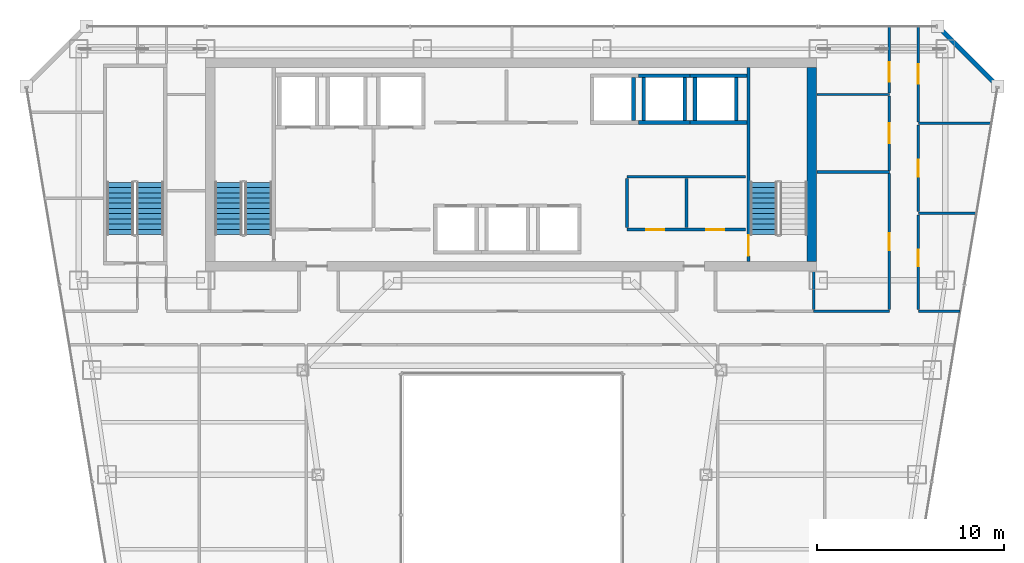
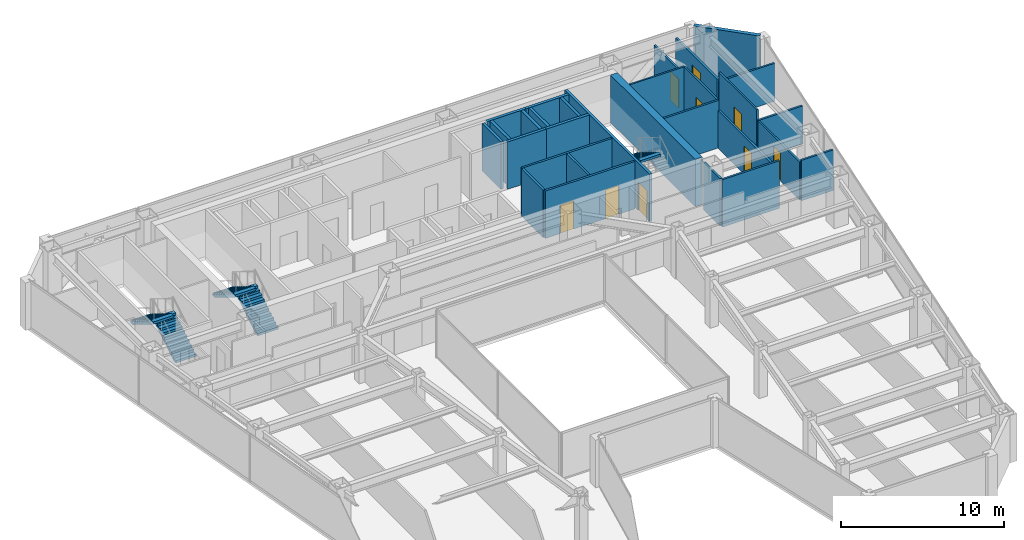
# One storey, part 34 of 38: 29 walls, 9 doors, 5 stair flights, 9 openings, 3 elements without a shape of their own.
"""IFC4 building model written with IfcOpenShell, lengths in metres."""

from ifc_helpers import new_model, si_unit, direction, frame, frame_2d, origin, place, context, subcontext, project, spatial, polyline, rectangle, outline, extrude, material, layer, layer_set, type_object, element, fill, aggregate, save


model = new_model("IFC4")

# Units and contexts
model_context = context("Model", 3, precision=1e-05, world=origin(), true_north=direction((0.0, 1.0)))
body_context = subcontext(model_context, "Body", "Model", "MODEL_VIEW")
ifc_project = project(units=[si_unit("LENGTHUNIT", "METRE"), si_unit("AREAUNIT", "SQUARE_METRE"), si_unit("VOLUMEUNIT", "CUBIC_METRE"), si_unit("PLANEANGLEUNIT", "RADIAN"), si_unit("MASSUNIT", "GRAM", prefix="KILO")], contexts=[model_context])

# Site, building, storey
site_placement = place(None, origin())
site = spatial("IfcSite", under=ifc_project, at=site_placement, CompositionType="ELEMENT")
building_placement = place(site_placement, origin())
building = spatial("IfcBuilding", under=site, at=building_placement, Name="Saevonmaru Cultural Tower", CompositionType="ELEMENT")
storey_placement = place(building_placement, frame((0.0, 0.0, 133.39990234375)))
storey = spatial("IfcBuildingStorey", under=building, at=storey_placement, Name="L28", CompositionType="ELEMENT", Elevation=133.39990234375)

# Wall
ifc_material_1 = material(Name="Concrete C60/75", Category="concrete")
ifc_layer_1 = layer(ifc_material_1, 0.5, Name="Concrete C60/75")
ifc_layer_set_1 = layer_set([ifc_layer_1], Name="Concrete C60/75")
wall_type_1 = type_object("IfcWallType", Name="WL-CORE-500", PredefinedType="SHEAR", material=ifc_layer_set_1)
wall_1_placement = place(storey_placement, frame((46.050048828125, 43.39990234375, 0.0), z_axis=(0.0, 0.0, 1.0), x_axis=(0.0, 1.0, 0.0)))
element("IfcWall", 1, at=wall_1_placement, inside=storey, type_object=wall_type_1, Name="L28 Tower RC core shear wall E", PredefinedType="SHEAR", context=body_context, shape_type="SweptSolid", body=[
    extrude(rectangle(XDim=10.400146484375, YDim=0.5, at=frame_2d((5.2001953125, 0.0))), origin(), (0.0, 0.0, 1.0), 3.550048828125),
])

# Wall, openings, doors
ifc_material_2 = material(Name="Gypsum Fireboard Partition", Category="gypsum")
ifc_layer_2 = layer(ifc_material_2, 0.14990234375, Name="Gypsum Fireboard Partition")
ifc_layer_set_2 = layer_set([ifc_layer_2], Name="Gypsum Fireboard Partition")
wall_type_2 = type_object("IfcWallType", Name="WL-CORE-PART-150", PredefinedType="PARTITIONING", material=ifc_layer_set_2)
wall_2_placement = place(storey_placement, frame((36.14990234375, 45.1201171875, 0.0), z_axis=(0.0, 0.0, 1.0), x_axis=(1.0, 0.0, 0.0)))
wall_2 = element("IfcWall", 2, at=wall_2_placement, inside=storey, type_object=wall_type_2, Name="L28 Core Cluster South Wall", PredefinedType="PARTITIONING", context=body_context, shape_type="SweptSolid", body=[
    extrude(rectangle(XDim=6.35009765625, YDim=0.14990234375, at=frame_2d((3.175048828125, 0.0))), origin(), (0.0, 0.0, 1.0), 3.550048828125),
])
opening_1_placement = place(wall_2_placement, frame((1.050048828125, 0.0, 0.0)))
opening_1 = element("IfcOpeningElement", 3, at=opening_1_placement, cuts=wall_2, Name="Opening FD-4", PredefinedType="OPENING", context=body_context, shape_type="SweptSolid", body=[
    extrude(rectangle(XDim=0.949951171875, YDim=2.14990234375, at=frame_2d((0.47509765625, 1.074951171875))), frame((0.0, 0.0849609375, 0.0), z_axis=(0.0, -1.0, 0.0), x_axis=(1.0, 0.0, 0.0)), (0.0, 0.0, 1.0), 0.169921875),
])
opening_2_placement = place(wall_2_placement, frame((4.25, 0.0, 0.0)))
opening_2 = element("IfcOpeningElement", 4, at=opening_2_placement, cuts=wall_2, Name="Opening FD-4", PredefinedType="OPENING", context=body_context, shape_type="SweptSolid", body=[
    extrude(rectangle(XDim=0.949951171875, YDim=2.14990234375, at=frame_2d((0.47509765625, 1.074951171875))), frame((0.0, 0.0849609375, 0.0), z_axis=(0.0, -1.0, 0.0), x_axis=(1.0, 0.0, 0.0)), (0.0, 0.0, 1.0), 0.169921875),
])
ifc_material_3 = material(Name="Satin Bronze Anodised Aluminium", Category="aluminium")
door_type_1 = type_object("IfcDoorType", Name="DR-FD60-950", OperationType="SINGLE_SWING_LEFT", PredefinedType="DOOR", material=ifc_material_3)
door_1_placement = place(opening_1_placement, origin())
door_1 = element("IfcDoor", 5, at=door_1_placement, inside=storey, type_object=door_type_1, Name="L28 BMS Control Room Door", OperationType="SINGLE_SWING_LEFT", OverallHeight=2.14990234375, OverallWidth=0.949951171875, PredefinedType="DOOR", context=body_context, shape_type="SweptSolid", body=[
    extrude(rectangle(XDim=0.949951171875, YDim=2.14990234375, at=frame_2d((0.47509765625, 1.074951171875))), frame((0.0, 0.02490234375, 0.0), z_axis=(0.0, -1.0, 0.0), x_axis=(1.0, 0.0, 0.0)), (0.0, 0.0, 1.0), 0.050048828125),
])
fill(opening_1, door_1)
door_2_placement = place(opening_2_placement, origin())
door_2 = element("IfcDoor", 6, at=door_2_placement, inside=storey, type_object=door_type_1, Name="L28 Fibre Node Plant Door", OperationType="SINGLE_SWING_LEFT", OverallHeight=2.14990234375, OverallWidth=0.949951171875, PredefinedType="DOOR", context=body_context, shape_type="SweptSolid", body=[
    extrude(rectangle(XDim=0.949951171875, YDim=2.14990234375, at=frame_2d((0.47509765625, 1.074951171875))), frame((0.0, 0.02490234375, 0.0), z_axis=(0.0, -1.0, 0.0), x_axis=(1.0, 0.0, 0.0)), (0.0, 0.0, 1.0), 0.050048828125),
])
fill(opening_2, door_2)

# Walls
wall_3_placement = place(storey_placement, frame((36.14990234375, 47.949951171875, 0.0), z_axis=(0.0, 0.0, 1.0), x_axis=(1.0, 0.0, 0.0)))
element("IfcWall", 7, at=wall_3_placement, inside=storey, type_object=wall_type_2, Name="L28 Core Cluster North Wall", PredefinedType="PARTITIONING", context=body_context, shape_type="SweptSolid", body=[
    extrude(rectangle(XDim=6.35009765625, YDim=0.14990234375, at=frame_2d((3.175048828125, 0.0))), origin(), (0.0, 0.0, 1.0), 3.550048828125),
])
for number, where, z_axis, x_axis, name in (
    (8, (36.14990234375, 45.219970703125, 0.0), (0.0, 0.0, 1.0), (0.0, 1.0, 0.0), "L28 Core Cluster West Wall"),
    (9, (39.35009765625, 45.219970703125, 0.0), (0.0, 0.0, 1.0), (0.0, 1.0, 0.0), "L28 Core Cluster Inner Split"),
):
    element("IfcWall", number, at=place(storey_placement, frame(where, z_axis=z_axis, x_axis=x_axis)), inside=storey, type_object=wall_type_2, Name=name, PredefinedType="PARTITIONING", context=body_context, shape_type="SweptSolid", body=[
        extrude(rectangle(XDim=2.630126953125, YDim=0.14990234375, at=frame_2d((1.31494140625, 0.0))), origin(), (0.0, 0.0, 1.0), 3.550048828125),
    ])
ifc_material_4 = material(Name="Granite-Clad Precast Concrete C40/50", Category="masonry")
ifc_layer_3 = layer(ifc_material_4, 0.260009765625, Name="Granite-Clad Precast Concrete C40/50")
ifc_layer_set_3 = layer_set([ifc_layer_3], Name="Granite-Clad Precast Concrete C40/50")
wall_type_3 = type_object("IfcWallType", Name="WL-EXT-SPANDREL-260", PredefinedType="STANDARD", material=ifc_layer_set_3)
wall_4_placement = place(storey_placement, frame((55.886962890625, 52.9130859375, 0.0), z_axis=(0.0, 0.0, 1.0), x_axis=(-0.707106781187, 0.707106781187, 0.0)))
element("IfcWall", 10, at=wall_4_placement, inside=storey, type_object=wall_type_3, Name="L28 Chamfer Corner Spandrel Wall E9", PredefinedType="STANDARD", context=body_context, shape_type="SweptSolid", body=[
    extrude(rectangle(XDim=4.205810546875, YDim=0.260009765625, at=frame_2d((2.10302734375, 0.0))), origin(), (0.0, 0.0, 1.0), 3.550048828125),
])

# Wall, opening, door
ifc_layer_4 = layer(ifc_material_2, 0.14990234375, Name="Gypsum Fireboard Partition")
ifc_layer_set_4 = layer_set([ifc_layer_4], Name="Gypsum Fireboard Partition")
wall_type_4 = type_object("IfcWallType", Name="WL-PART-FIRE-150", PredefinedType="PARTITIONING", material=ifc_layer_set_4)
wall_5_placement = place(storey_placement, frame((51.75, 50.887451171875, 0.0), z_axis=(0.0, 0.0, 1.0), x_axis=(0.0, 1.0, 0.0)))
wall_5 = element("IfcWall", 11, at=wall_5_placement, inside=storey, type_object=wall_type_4, Name="L28 East Asian Ceramics Gallery Corridor Wall", PredefinedType="PARTITIONING", context=body_context, shape_type="SweptSolid", body=[
    extrude(rectangle(XDim=5.107666015625, YDim=0.14990234375, at=frame_2d((2.5537109375, 0.0))), origin(), (0.0, 0.0, 1.0), 2.93505859375),
])
opening_3_placement = place(wall_5_placement, frame((2.029052734375, 0.0, 0.0)))
opening_3 = element("IfcOpeningElement", 12, at=opening_3_placement, cuts=wall_5, Name="Opening ID-1", PredefinedType="OPENING", context=body_context, shape_type="SweptSolid", body=[
    extrude(rectangle(XDim=1.050048828125, YDim=2.14990234375, at=frame_2d((0.52490234375, 1.074951171875))), frame((0.0, 0.0849609375, 0.0), z_axis=(0.0, -1.0, 0.0), x_axis=(1.0, 0.0, 0.0)), (0.0, 0.0, 1.0), 0.169921875),
])
door_type_2 = type_object("IfcDoorType", Name="DR-INT-1050", OperationType="SINGLE_SWING_LEFT", PredefinedType="DOOR", material=ifc_material_3)
door_3_placement = place(opening_3_placement, origin())
door_3 = element("IfcDoor", 13, at=door_3_placement, inside=storey, type_object=door_type_2, Name="L28 East Asian Ceramics Gallery Door", OperationType="SINGLE_SWING_LEFT", OverallHeight=2.14990234375, OverallWidth=1.050048828125, PredefinedType="DOOR", context=body_context, shape_type="SweptSolid", body=[
    extrude(rectangle(XDim=1.050048828125, YDim=2.14990234375, at=frame_2d((0.52490234375, 1.074951171875))), frame((0.0, 0.02490234375, 0.0), z_axis=(0.0, -1.0, 0.0), x_axis=(1.0, 0.0, 0.0)), (0.0, 0.0, 1.0), 0.050048828125),
])
fill(opening_3, door_3)

# Wall
ifc_layer_5 = layer(ifc_material_2, 0.1201171875, Name="Gypsum Fireboard Partition")
ifc_layer_set_5 = layer_set([ifc_layer_5], Name="Gypsum Fireboard Partition")
wall_type_5 = type_object("IfcWallType", Name="WL-PART-GYP-120", PredefinedType="PARTITIONING", material=ifc_layer_set_5)
wall_6_placement = place(storey_placement, frame((46.320068359375, 52.35009765625, 0.0), z_axis=(0.0, 0.0, 1.0), x_axis=(1.0, 0.0, 0.0)))
element("IfcWall", 14, at=wall_6_placement, inside=storey, type_object=wall_type_5, Name="L28 North-East Panorama South Wall", PredefinedType="PARTITIONING", context=body_context, shape_type="SweptSolid", body=[
    extrude(rectangle(XDim=3.8798828125, YDim=0.1201171875, at=frame_2d((1.93994140625, 0.0))), origin(), (0.0, 0.0, 1.0), 3.550048828125),
])

# Wall, opening, door
wall_7_placement = place(storey_placement, frame((50.199951171875, 48.2900390625, 0.0), z_axis=(0.0, 0.0, 1.0), x_axis=(0.0, 1.0, 0.0)))
wall_7 = element("IfcWall", 15, at=wall_7_placement, inside=storey, type_object=wall_type_5, Name="L28 Rare Folio Reading Room Corridor Wall", PredefinedType="PARTITIONING", context=body_context, shape_type="SweptSolid", body=[
    extrude(rectangle(XDim=3.97998046875, YDim=0.1201171875, at=frame_2d((1.989990234375, 0.0))), origin(), (0.0, 0.0, 1.0), 3.550048828125),
])
opening_4_placement = place(wall_7_placement, frame((1.465087890625, 0.0, 0.0)))
opening_4 = element("IfcOpeningElement", 16, at=opening_4_placement, cuts=wall_7, Name="Opening ID-1", PredefinedType="OPENING", context=body_context, shape_type="SweptSolid", body=[
    extrude(rectangle(XDim=1.050048828125, YDim=2.14990234375, at=frame_2d((0.52490234375, 1.074951171875))), frame((0.0, 0.070068359375, 0.0), z_axis=(0.0, -1.0, 0.0), x_axis=(1.0, 0.0, 0.0)), (0.0, 0.0, 1.0), 0.14013671875),
])
door_4_placement = place(opening_4_placement, origin())
door_4 = element("IfcDoor", 17, at=door_4_placement, inside=storey, type_object=door_type_2, Name="L28 Rare Folio Reading Room Door", OperationType="SINGLE_SWING_LEFT", OverallHeight=2.14990234375, OverallWidth=1.050048828125, PredefinedType="DOOR", context=body_context, shape_type="SweptSolid", body=[
    extrude(rectangle(XDim=1.050048828125, YDim=2.14990234375, at=frame_2d((0.52490234375, 1.074951171875))), frame((0.0, 0.02490234375, 0.0), z_axis=(0.0, -1.0, 0.0), x_axis=(1.0, 0.0, 0.0)), (0.0, 0.0, 1.0), 0.050048828125),
])
fill(opening_4, door_4)

wall_8_placement = place(storey_placement, frame((50.199951171875, 52.429931640625, 0.0), z_axis=(0.0, 0.0, 1.0), x_axis=(0.0, 1.0, 0.0)))
wall_8 = element("IfcWall", 18, at=wall_8_placement, inside=storey, type_object=wall_type_5, Name="L28 Art History Reading Room Corridor Wall", PredefinedType="PARTITIONING", context=body_context, shape_type="SweptSolid", body=[
    extrude(rectangle(XDim=3.565185546875, YDim=0.1201171875, at=frame_2d((1.78271484375, 0.0))), origin(), (0.0, 0.0, 1.0), 2.93505859375),
])
opening_5_placement = place(wall_8_placement, frame((0.596923828125, 0.0, 0.0)))
opening_5 = element("IfcOpeningElement", 19, at=opening_5_placement, cuts=wall_8, Name="Opening ID-1", PredefinedType="OPENING", context=body_context, shape_type="SweptSolid", body=[
    extrude(rectangle(XDim=1.050048828125, YDim=2.14990234375, at=frame_2d((0.52490234375, 1.074951171875))), frame((0.0, 0.070068359375, 0.0), z_axis=(0.0, -1.0, 0.0), x_axis=(1.0, 0.0, 0.0)), (0.0, 0.0, 1.0), 0.14013671875),
])
door_5_placement = place(opening_5_placement, origin())
door_5 = element("IfcDoor", 20, at=door_5_placement, inside=storey, type_object=door_type_2, Name="L28 Art History Reading Room Door", OperationType="SINGLE_SWING_RIGHT", OverallHeight=2.14990234375, OverallWidth=1.050048828125, PredefinedType="DOOR", context=body_context, shape_type="SweptSolid", body=[
    extrude(rectangle(XDim=1.050048828125, YDim=2.14990234375, at=frame_2d((0.52490234375, 1.074951171875))), frame((0.0, 0.02490234375, 0.0), z_axis=(0.0, -1.0, 0.0), x_axis=(1.0, 0.0, 0.0)), (0.0, 0.0, 1.0), 0.050048828125),
])
fill(opening_5, door_5)

wall_9_placement = place(storey_placement, frame((51.75, 40.83740234375, 0.0), z_axis=(0.0, 0.0, 1.0), x_axis=(0.0, 1.0, 0.0)))
wall_9 = element("IfcWall", 21, at=wall_9_placement, inside=storey, type_object=wall_type_5, Name="L28 Calligraphy Teaching Studio Corridor Wall", PredefinedType="PARTITIONING", context=body_context, shape_type="SweptSolid", body=[
    extrude(rectangle(XDim=5.0751953125, YDim=0.1201171875, at=frame_2d((2.53759765625, 0.0))), origin(), (0.0, 0.0, 1.0), 2.835205078125),
])
opening_6_placement = place(wall_9_placement, frame((2.30810546875, 0.0, 0.0)))
opening_6 = element("IfcOpeningElement", 22, at=opening_6_placement, cuts=wall_9, Name="Opening ID-2", PredefinedType="OPENING", context=body_context, shape_type="SweptSolid", body=[
    extrude(rectangle(XDim=0.89990234375, YDim=2.10009765625, at=frame_2d((0.449951171875, 1.050048828125))), frame((0.0, 0.070068359375, 0.0), z_axis=(0.0, -1.0, 0.0), x_axis=(1.0, 0.0, 0.0)), (0.0, 0.0, 1.0), 0.14013671875),
])
ifc_material_5 = material(Name="Acoustic Stained Oak Timber", Category="wood")
door_type_3 = type_object("IfcDoorType", Name="DR-INT-900", OperationType="SINGLE_SWING_RIGHT", PredefinedType="DOOR", material=ifc_material_5)
door_6_placement = place(opening_6_placement, origin())
door_6 = element("IfcDoor", 23, at=door_6_placement, inside=storey, type_object=door_type_3, Name="L28 Calligraphy Teaching Studio Door", OperationType="SINGLE_SWING_LEFT", OverallHeight=2.10009765625, OverallWidth=0.89990234375, PredefinedType="DOOR", context=body_context, shape_type="SweptSolid", body=[
    extrude(rectangle(XDim=0.89990234375, YDim=2.10009765625, at=frame_2d((0.449951171875, 1.050048828125))), frame((0.0, 0.02490234375, 0.0), z_axis=(0.0, -1.0, 0.0), x_axis=(1.0, 0.0, 0.0)), (0.0, 0.0, 1.0), 0.050048828125),
])
fill(opening_6, door_6)

wall_10_placement = place(storey_placement, frame((51.75, 46.08740234375, 0.0), z_axis=(0.0, 0.0, 1.0), x_axis=(0.0, 1.0, 0.0)))
wall_10 = element("IfcWall", 24, at=wall_10_placement, inside=storey, type_object=wall_type_5, Name="L28 Curatorial Board Meeting Room Corridor Wall", PredefinedType="PARTITIONING", context=body_context, shape_type="SweptSolid", body=[
    extrude(rectangle(XDim=4.625, YDim=0.1201171875, at=frame_2d((2.3125, 0.0))), origin(), (0.0, 0.0, 1.0), 3.550048828125),
])
opening_7_placement = place(wall_10_placement, frame((1.863037109375, 0.0, 0.0)))
opening_7 = element("IfcOpeningElement", 25, at=opening_7_placement, cuts=wall_10, Name="Opening ID-2", PredefinedType="OPENING", context=body_context, shape_type="SweptSolid", body=[
    extrude(rectangle(XDim=0.89990234375, YDim=2.10009765625, at=frame_2d((0.449951171875, 1.050048828125))), frame((0.0, 0.070068359375, 0.0), z_axis=(0.0, -1.0, 0.0), x_axis=(1.0, 0.0, 0.0)), (0.0, 0.0, 1.0), 0.14013671875),
])
door_7_placement = place(opening_7_placement, origin())
door_7 = element("IfcDoor", 26, at=door_7_placement, inside=storey, type_object=door_type_3, Name="L28 Curatorial Board Meeting Room Door", OperationType="SINGLE_SWING_RIGHT", OverallHeight=2.10009765625, OverallWidth=0.89990234375, PredefinedType="DOOR", context=body_context, shape_type="SweptSolid", body=[
    extrude(rectangle(XDim=0.89990234375, YDim=2.10009765625, at=frame_2d((0.449951171875, 1.050048828125))), frame((0.0, 0.02490234375, 0.0), z_axis=(0.0, -1.0, 0.0), x_axis=(1.0, 0.0, 0.0)), (0.0, 0.0, 1.0), 0.050048828125),
])
fill(opening_7, door_7)

# Walls
ifc_layer_6 = layer(ifc_material_2, 0.135009765625, Name="Gypsum Fireboard Partition")
ifc_layer_set_6 = layer_set([ifc_layer_6], Name="Gypsum Fireboard Partition")
wall_type_6 = type_object("IfcWallType", Name="WL-PART-GYP-135", PredefinedType="PARTITIONING", material=ifc_layer_set_6)
wall_11_placement = place(storey_placement, frame((51.75, 40.75, 0.0), z_axis=(0.0, 0.0, 1.0), x_axis=(1.0, 0.0, 0.0)))
element("IfcWall", 27, at=wall_11_placement, inside=storey, type_object=wall_type_6, Name="L28 NE Wing South Wall", PredefinedType="PARTITIONING", context=body_context, shape_type="SweptSolid", body=[
    extrude(rectangle(XDim=2.24169921875, YDim=0.135009765625, at=frame_2d((1.120849609375, 0.0))), origin(), (0.0, 0.0, 1.0), 3.03515625),
])
wall_12_placement = place(storey_placement, frame((51.75, 46.0, 0.0), z_axis=(0.0, 0.0, 1.0), x_axis=(1.0, 0.0, 0.0)))
element("IfcWall", 28, at=wall_12_placement, inside=storey, type_object=wall_type_6, Name="L28 NE Studio Divider 1", PredefinedType="PARTITIONING", context=body_context, shape_type="SweptSolid", body=[
    extrude(rectangle(XDim=3.114501953125, YDim=0.135009765625, at=frame_2d((1.55712890625, 0.0))), origin(), (0.0, 0.0, 1.0), 2.835205078125),
])
wall_13_placement = place(storey_placement, frame((51.75, 50.800048828125, 0.0), z_axis=(0.0, 0.0, 1.0), x_axis=(1.0, 0.0, 0.0)))
element("IfcWall", 29, at=wall_13_placement, inside=storey, type_object=wall_type_6, Name="L28 NE Studio Divider 2", PredefinedType="PARTITIONING", context=body_context, shape_type="SweptSolid", body=[
    extrude(rectangle(XDim=3.912353515625, YDim=0.135009765625, at=frame_2d((1.9560546875, 0.0))), origin(), (0.0, 0.0, 1.0), 2.835205078125),
])
ifc_layer_7 = layer(ifc_material_2, 0.139892578125, Name="Gypsum Fireboard Partition")
ifc_layer_set_7 = layer_set([ifc_layer_7], Name="Gypsum Fireboard Partition")
wall_type_7 = type_object("IfcWallType", Name="WL-PART-WET-140", PredefinedType="PARTITIONING", material=ifc_layer_set_7)
wall_14_placement = place(storey_placement, frame((46.14990234375, 40.75, 0.0), z_axis=(0.0, 0.0, 1.0), x_axis=(1.0, 0.0, 0.0)))
element("IfcWall", 30, at=wall_14_placement, inside=storey, type_object=wall_type_7, Name="L28 Washroom South Wall", PredefinedType="PARTITIONING", context=body_context, shape_type="SweptSolid", body=[
    extrude(rectangle(XDim=4.050048828125, YDim=0.139892578125, at=frame_2d((2.02490234375, 0.0))), origin(), (0.0, 0.0, 1.0), 3.550048828125),
])
wall_15_placement = place(storey_placement, frame((46.14990234375, 40.840087890625, 0.0), z_axis=(0.0, 0.0, 1.0), x_axis=(0.0, 1.0, 0.0)))
element("IfcWall", 31, at=wall_15_placement, inside=storey, type_object=wall_type_7, Name="L28 Washroom South-West Return", PredefinedType="PARTITIONING", context=body_context, shape_type="SweptSolid", body=[
    extrude(rectangle(XDim=2.039794921875, YDim=0.139892578125, at=frame_2d((1.02001953125, 0.0))), origin(), (0.0, 0.0, 1.0), 3.550048828125),
])
wall_16_placement = place(storey_placement, frame((46.320068359375, 48.199951171875, 0.0), z_axis=(0.0, 0.0, 1.0), x_axis=(1.0, 0.0, 0.0)))
element("IfcWall", 32, at=wall_16_placement, inside=storey, type_object=wall_type_7, Name="L28 Washroom North Wall", PredefinedType="PARTITIONING", context=body_context, shape_type="SweptSolid", body=[
    extrude(rectangle(XDim=3.8798828125, YDim=0.139892578125, at=frame_2d((1.93994140625, 0.0))), origin(), (0.0, 0.0, 1.0), 3.550048828125),
])

# Wall, opening, door
wall_17_placement = place(storey_placement, frame((50.199951171875, 40.840087890625, 0.0), z_axis=(0.0, 0.0, 1.0), x_axis=(0.0, 1.0, 0.0)))
wall_17 = element("IfcWall", 33, at=wall_17_placement, inside=storey, type_object=wall_type_7, Name="L28 Washroom Corridor Wall", PredefinedType="PARTITIONING", context=body_context, shape_type="SweptSolid", body=[
    extrude(rectangle(XDim=7.27001953125, YDim=0.139892578125, at=frame_2d((3.635009765625, 0.0))), origin(), (0.0, 0.0, 1.0), 2.835205078125),
])
opening_8_placement = place(wall_17_placement, frame((3.18505859375, 0.0, 0.0)))
opening_8 = element("IfcOpeningElement", 34, at=opening_8_placement, cuts=wall_17, Name="Opening ID-2", PredefinedType="OPENING", context=body_context, shape_type="SweptSolid", body=[
    extrude(rectangle(XDim=0.89990234375, YDim=2.10009765625, at=frame_2d((0.449951171875, 1.050048828125))), frame((0.0, 0.080078125, 0.0), z_axis=(0.0, -1.0, 0.0), x_axis=(1.0, 0.0, 0.0)), (0.0, 0.0, 1.0), 0.159912109375),
])
door_8_placement = place(opening_8_placement, origin())
door_8 = element("IfcDoor", 35, at=door_8_placement, inside=storey, type_object=door_type_3, Name="L28 Public Accessible Washrooms Door", OperationType="SINGLE_SWING_RIGHT", OverallHeight=2.10009765625, OverallWidth=0.89990234375, PredefinedType="DOOR", context=body_context, shape_type="SweptSolid", body=[
    extrude(rectangle(XDim=0.89990234375, YDim=2.10009765625, at=frame_2d((0.449951171875, 1.050048828125))), frame((0.0, 0.02490234375, 0.0), z_axis=(0.0, -1.0, 0.0), x_axis=(1.0, 0.0, 0.0)), (0.0, 0.0, 1.0), 0.050048828125),
])
fill(opening_8, door_8)

# Walls
ifc_material_6 = material(Name="Concrete C40/50", Category="concrete")
ifc_layer_8 = layer(ifc_material_6, 0.199951171875, Name="Concrete C40/50")
ifc_layer_set_8 = layer_set([ifc_layer_8], Name="Concrete C40/50")
wall_type_8 = type_object("IfcWallType", Name="WL-SHAFT-200", PredefinedType="SHEAR", material=ifc_layer_set_8)
wall_18_placement = place(storey_placement, frame((36.5, 50.949951171875, 0.0), z_axis=(0.0, 0.0, 1.0), x_axis=(0.0, 1.0, 0.0)))
element("IfcWall", 36, at=wall_18_placement, inside=storey, type_object=wall_type_8, Name="L28 Lift PL-H1 Hoistway Wall E", PredefinedType="SHEAR", context=body_context, shape_type="SweptSolid", body=[
    extrude(rectangle(XDim=2.300048828125, YDim=0.199951171875, at=frame_2d((1.14990234375, 0.0))), origin(), (0.0, 0.0, 1.0), 3.550048828125),
])
for number, where, z_axis, x_axis, name in (
    (37, (36.77490234375, 50.85009765625, 0.0), (0.0, 0.0, 1.0), (1.0, 0.0, 0.0), "L28 Lift PL-H2 Hoistway Wall S"),
    (38, (36.77490234375, 53.35009765625, 0.0), (0.0, 0.0, 1.0), (1.0, 0.0, 0.0), "L28 Lift PL-H2 Hoistway Wall N"),
):
    element("IfcWall", number, at=place(storey_placement, frame(where, z_axis=z_axis, x_axis=x_axis)), inside=storey, type_object=wall_type_8, Name=name, PredefinedType="SHEAR", context=body_context, shape_type="SweptSolid", body=[
        extrude(rectangle(XDim=2.75, YDim=0.199951171875, at=frame_2d((1.375, 0.0))), origin(), (0.0, 0.0, 1.0), 3.550048828125),
    ])
for number, where, z_axis, x_axis, name in (
    (39, (37.050048828125, 50.949951171875, 0.0), (0.0, 0.0, 1.0), (0.0, 1.0, 0.0), "L28 Lift PL-H2 Hoistway Wall W"),
    (40, (39.25, 50.949951171875, 0.0), (0.0, 0.0, 1.0), (0.0, 1.0, 0.0), "L28 Lift PL-H2 Hoistway Wall E"),
):
    element("IfcWall", number, at=place(storey_placement, frame(where, z_axis=z_axis, x_axis=x_axis)), inside=storey, type_object=wall_type_8, Name=name, PredefinedType="SHEAR", context=body_context, shape_type="SweptSolid", body=[
        extrude(rectangle(XDim=2.300048828125, YDim=0.199951171875, at=frame_2d((1.14990234375, 0.0))), origin(), (0.0, 0.0, 1.0), 3.550048828125),
    ])
for number, where, z_axis, x_axis, name in (
    (41, (39.52490234375, 50.85009765625, 0.0), (0.0, 0.0, 1.0), (1.0, 0.0, 0.0), "L28 Lift PL-H3 Hoistway Wall S"),
    (42, (39.52490234375, 53.35009765625, 0.0), (0.0, 0.0, 1.0), (1.0, 0.0, 0.0), "L28 Lift PL-H3 Hoistway Wall N"),
):
    element("IfcWall", number, at=place(storey_placement, frame(where, z_axis=z_axis, x_axis=x_axis)), inside=storey, type_object=wall_type_8, Name=name, PredefinedType="SHEAR", context=body_context, shape_type="SweptSolid", body=[
        extrude(rectangle(XDim=3.045166015625, YDim=0.199951171875, at=frame_2d((1.5224609375, 0.0))), origin(), (0.0, 0.0, 1.0), 3.550048828125),
    ])
for number, where, z_axis, x_axis, name in (
    (43, (39.800048828125, 50.949951171875, 0.0), (0.0, 0.0, 1.0), (0.0, 1.0, 0.0), "L28 Lift PL-H3 Hoistway Wall W"),
    (44, (42.0, 50.949951171875, 0.0), (0.0, 0.0, 1.0), (0.0, 1.0, 0.0), "L28 Lift PL-H3 Hoistway Wall E"),
):
    element("IfcWall", number, at=place(storey_placement, frame(where, z_axis=z_axis, x_axis=x_axis)), inside=storey, type_object=wall_type_8, Name=name, PredefinedType="SHEAR", context=body_context, shape_type="SweptSolid", body=[
        extrude(rectangle(XDim=2.300048828125, YDim=0.199951171875, at=frame_2d((1.14990234375, 0.0))), origin(), (0.0, 0.0, 1.0), 3.550048828125),
    ])

# Wall, opening, door
ifc_layer_9 = layer(ifc_material_6, 0.179931640625, Name="Concrete C40/50")
ifc_layer_set_9 = layer_set([ifc_layer_9], Name="Concrete C40/50")
wall_type_9 = type_object("IfcWallType", Name="WL-STSHAFT-180", PredefinedType="SHEAR", material=ifc_layer_set_9)
wall_19_placement = place(storey_placement, frame((42.659912109375, 53.800048828125, 0.0), z_axis=(0.0, 0.0, 1.0), x_axis=(0.0, -1.0, 0.0)))
wall_19 = element("IfcWall", 45, at=wall_19_placement, inside=storey, type_object=wall_type_9, Name="L28 Stair ST-2 Structural Shaft Wall 1", PredefinedType="SHEAR", context=body_context, shape_type="SweptSolid", body=[
    extrude(rectangle(XDim=10.400146484375, YDim=0.179931640625, at=frame_2d((5.2001953125, 0.0))), origin(), (0.0, 0.0, 1.0), 3.550048828125),
])
opening_9_placement = place(wall_19_placement, frame((8.989990234375, 0.0, 0.0)))
opening_9 = element("IfcOpeningElement", 46, at=opening_9_placement, cuts=wall_19, Name="Opening FD-2", PredefinedType="OPENING", context=body_context, shape_type="SweptSolid", body=[
    extrude(rectangle(XDim=1.10009765625, YDim=2.14990234375, at=frame_2d((0.550048828125, 1.074951171875))), frame((0.0, 0.10009765625, 0.0), z_axis=(0.0, -1.0, 0.0), x_axis=(1.0, 0.0, 0.0)), (0.0, 0.0, 1.0), 0.199951171875),
])
door_type_4 = type_object("IfcDoorType", Name="DR-FD60-1100", OperationType="SINGLE_SWING_LEFT", PredefinedType="DOOR", material=ifc_material_3)
door_9_placement = place(opening_9_placement, origin())
door_9 = element("IfcDoor", 47, at=door_9_placement, inside=storey, type_object=door_type_4, Name="L28 Protected Stair ST-2 Fire Door", OperationType="SINGLE_SWING_LEFT", OverallHeight=2.14990234375, OverallWidth=1.10009765625, PredefinedType="DOOR", context=body_context, shape_type="SweptSolid", body=[
    extrude(rectangle(XDim=1.10009765625, YDim=2.14990234375, at=frame_2d((0.550048828125, 1.074951171875))), frame((0.0, 0.02490234375, 0.0), z_axis=(0.0, -1.0, 0.0), x_axis=(1.0, 0.0, 0.0)), (0.0, 0.0, 1.0), 0.050048828125),
])
fill(opening_9, door_9)

# Stair, stair flights
stair_type = type_object("IfcStairType", Name="STR-DOGLEG-RC", PredefinedType="HALF_TURN_STAIR", material=ifc_material_6)
stair_1_placement = place(storey_placement, origin())
stair_1 = element("IfcStair", 48, at=stair_1_placement, inside=storey, type_object=stair_type, Name="L28 Protected exit stair ST-1", PredefinedType="HALF_TURN_STAIR")
ifc_material_7 = material(Name="Precast concrete C40/50", Category="concrete")
stair_flight_type = type_object("IfcStairFlightType", Name="STF-PRECAST-180", PredefinedType="STRAIGHT", material=ifc_material_7)
stair_flight_1_placement = place(storey_placement, frame((16.425048828125, 44.85009765625, 0.0), z_axis=(0.0, 0.0, 1.0), x_axis=(0.0, 1.0, 0.0)))
stair_flight_1 = element("IfcStairFlight", 49, at=stair_flight_1_placement, type_object=stair_flight_type, Name="ST-1-L28 flight 1", NumberOfRisers=11, NumberOfTreads=10, PredefinedType="STRAIGHT", RiserHeight=0.172727273, TreadLength=0.28, context=body_context, shape_type="SweptSolid", body=[
    extrude(outline(polyline([(0.0, 0.0), (0.0, 0.172607421875), (0.280029296875, 0.172607421875), (0.280029296875, 0.345458984375), (0.56005859375, 0.345458984375), (0.56005859375, 0.51806640625), (0.840087890625, 0.51806640625), (0.840087890625, 0.69091796875), (1.1201171875, 0.69091796875), (1.1201171875, 0.863525390625), (1.39990234375, 0.863525390625), (1.39990234375, 1.036376953125), (1.679931640625, 1.036376953125), (1.679931640625, 1.208984375), (1.9599609375, 1.208984375), (1.9599609375, 1.3818359375), (2.239990234375, 1.3818359375), (2.239990234375, 1.554443359375), (2.52001953125, 1.554443359375), (2.52001953125, 1.727294921875), (2.800048828125, 1.727294921875), (2.800048828125, 1.89990234375), (2.800048828125, 1.551025390625), (0.285400390625, 0.0), (0.0, 0.0)])), frame((0.0, 0.72509765625, 0.0), z_axis=(0.0, -1.0, 0.0), x_axis=(1.0, 0.0, 0.0)), (0.0, 0.0, 1.0), 1.449951171875),
])
stair_flight_2_placement = place(storey_placement, frame((14.824951171875, 47.64990234375, 1.900146484375), z_axis=(0.0, 0.0, 1.0), x_axis=(0.0, -1.0, 0.0)))
stair_flight_2 = element("IfcStairFlight", 50, at=stair_flight_2_placement, type_object=stair_flight_type, Name="ST-1-L28 flight 2", NumberOfRisers=11, NumberOfTreads=10, PredefinedType="STRAIGHT", RiserHeight=0.172727273, TreadLength=0.28, context=body_context, shape_type="SweptSolid", body=[
    extrude(outline(polyline([(0.0, 0.0), (0.0, 0.172607421875), (0.280029296875, 0.172607421875), (0.280029296875, 0.345458984375), (0.56005859375, 0.345458984375), (0.56005859375, 0.51806640625), (0.840087890625, 0.51806640625), (0.840087890625, 0.69091796875), (1.1201171875, 0.69091796875), (1.1201171875, 0.863525390625), (1.39990234375, 0.863525390625), (1.39990234375, 1.036376953125), (1.679931640625, 1.036376953125), (1.679931640625, 1.208984375), (1.9599609375, 1.208984375), (1.9599609375, 1.3818359375), (2.239990234375, 1.3818359375), (2.239990234375, 1.554443359375), (2.52001953125, 1.554443359375), (2.52001953125, 1.727294921875), (2.800048828125, 1.727294921875), (2.800048828125, 1.89990234375), (2.800048828125, 1.551025390625), (0.285400390625, 0.0), (0.0, 0.0)])), frame((0.0, 0.72509765625, 0.0), z_axis=(0.0, -1.0, 0.0), x_axis=(1.0, 0.0, 0.0)), (0.0, 0.0, 1.0), 1.449951171875),
])
aggregate(stair_1, [stair_flight_1, stair_flight_2])

# Stair, stair flight
stair_2_placement = place(storey_placement, origin())
stair_2 = element("IfcStair", 51, at=stair_2_placement, inside=storey, type_object=stair_type, Name="L28 Protected exit stair ST-2", PredefinedType="HALF_TURN_STAIR")
stair_flight_3_placement = place(storey_placement, frame((43.47509765625, 47.64990234375, 1.900146484375), z_axis=(0.0, 0.0, 1.0), x_axis=(0.0, -1.0, 0.0)))
stair_flight_3 = element("IfcStairFlight", 52, at=stair_flight_3_placement, type_object=stair_flight_type, Name="ST-2-L28 flight 2", NumberOfRisers=11, NumberOfTreads=10, PredefinedType="STRAIGHT", RiserHeight=0.172727273, TreadLength=0.28, context=body_context, shape_type="SweptSolid", body=[
    extrude(outline(polyline([(0.0, 0.0), (0.0, 0.172607421875), (0.280029296875, 0.172607421875), (0.280029296875, 0.345458984375), (0.56005859375, 0.345458984375), (0.56005859375, 0.51806640625), (0.840087890625, 0.51806640625), (0.840087890625, 0.69091796875), (1.1201171875, 0.69091796875), (1.1201171875, 0.863525390625), (1.39990234375, 0.863525390625), (1.39990234375, 1.036376953125), (1.679931640625, 1.036376953125), (1.679931640625, 1.208984375), (1.9599609375, 1.208984375), (1.9599609375, 1.3818359375), (2.239990234375, 1.3818359375), (2.239990234375, 1.554443359375), (2.52001953125, 1.554443359375), (2.52001953125, 1.727294921875), (2.800048828125, 1.727294921875), (2.800048828125, 1.89990234375), (2.800048828125, 1.551025390625), (0.285400390625, 0.0), (0.0, 0.0)])), frame((0.0, 0.72509765625, 0.0), z_axis=(0.0, -1.0, 0.0), x_axis=(1.0, 0.0, 0.0)), (0.0, 0.0, 1.0), 1.449951171875),
])
aggregate(stair_2, [stair_flight_3])

# Stair, stair flights
stair_3_placement = place(storey_placement, origin())
stair_3 = element("IfcStair", 53, at=stair_3_placement, inside=storey, type_object=stair_type, Name="L28 Protected exit stair ST-3", PredefinedType="HALF_TURN_STAIR")
stair_flight_4_placement = place(storey_placement, frame((10.625, 44.85009765625, 0.0), z_axis=(0.0, 0.0, 1.0), x_axis=(0.0, 1.0, 0.0)))
stair_flight_4 = element("IfcStairFlight", 54, at=stair_flight_4_placement, type_object=stair_flight_type, Name="ST-3-L28 flight 1", NumberOfRisers=11, NumberOfTreads=10, PredefinedType="STRAIGHT", RiserHeight=0.172727273, TreadLength=0.28, context=body_context, shape_type="SweptSolid", body=[
    extrude(outline(polyline([(0.0, 0.0), (0.0, 0.172607421875), (0.280029296875, 0.172607421875), (0.280029296875, 0.345458984375), (0.56005859375, 0.345458984375), (0.56005859375, 0.51806640625), (0.840087890625, 0.51806640625), (0.840087890625, 0.69091796875), (1.1201171875, 0.69091796875), (1.1201171875, 0.863525390625), (1.39990234375, 0.863525390625), (1.39990234375, 1.036376953125), (1.679931640625, 1.036376953125), (1.679931640625, 1.208984375), (1.9599609375, 1.208984375), (1.9599609375, 1.3818359375), (2.239990234375, 1.3818359375), (2.239990234375, 1.554443359375), (2.52001953125, 1.554443359375), (2.52001953125, 1.727294921875), (2.800048828125, 1.727294921875), (2.800048828125, 1.89990234375), (2.800048828125, 1.551025390625), (0.285400390625, 0.0), (0.0, 0.0)])), frame((0.0, 0.72509765625, 0.0), z_axis=(0.0, -1.0, 0.0), x_axis=(1.0, 0.0, 0.0)), (0.0, 0.0, 1.0), 1.449951171875),
])
stair_flight_5_placement = place(storey_placement, frame((9.02490234375, 47.64990234375, 1.900146484375), z_axis=(0.0, 0.0, 1.0), x_axis=(0.0, -1.0, 0.0)))
stair_flight_5 = element("IfcStairFlight", 55, at=stair_flight_5_placement, type_object=stair_flight_type, Name="ST-3-L28 flight 2", NumberOfRisers=11, NumberOfTreads=10, PredefinedType="STRAIGHT", RiserHeight=0.172727273, TreadLength=0.28, context=body_context, shape_type="SweptSolid", body=[
    extrude(outline(polyline([(0.0, 0.0), (0.0, 0.172607421875), (0.280029296875, 0.172607421875), (0.280029296875, 0.345458984375), (0.56005859375, 0.345458984375), (0.56005859375, 0.51806640625), (0.840087890625, 0.51806640625), (0.840087890625, 0.69091796875), (1.1201171875, 0.69091796875), (1.1201171875, 0.863525390625), (1.39990234375, 0.863525390625), (1.39990234375, 1.036376953125), (1.679931640625, 1.036376953125), (1.679931640625, 1.208984375), (1.9599609375, 1.208984375), (1.9599609375, 1.3818359375), (2.239990234375, 1.3818359375), (2.239990234375, 1.554443359375), (2.52001953125, 1.554443359375), (2.52001953125, 1.727294921875), (2.800048828125, 1.727294921875), (2.800048828125, 1.89990234375), (2.800048828125, 1.551025390625), (0.285400390625, 0.0), (0.0, 0.0)])), frame((0.0, 0.72509765625, 0.0), z_axis=(0.0, -1.0, 0.0), x_axis=(1.0, 0.0, 0.0)), (0.0, 0.0, 1.0), 1.449951171875),
])
aggregate(stair_3, [stair_flight_4, stair_flight_5])

save(model, "model.ifc")
